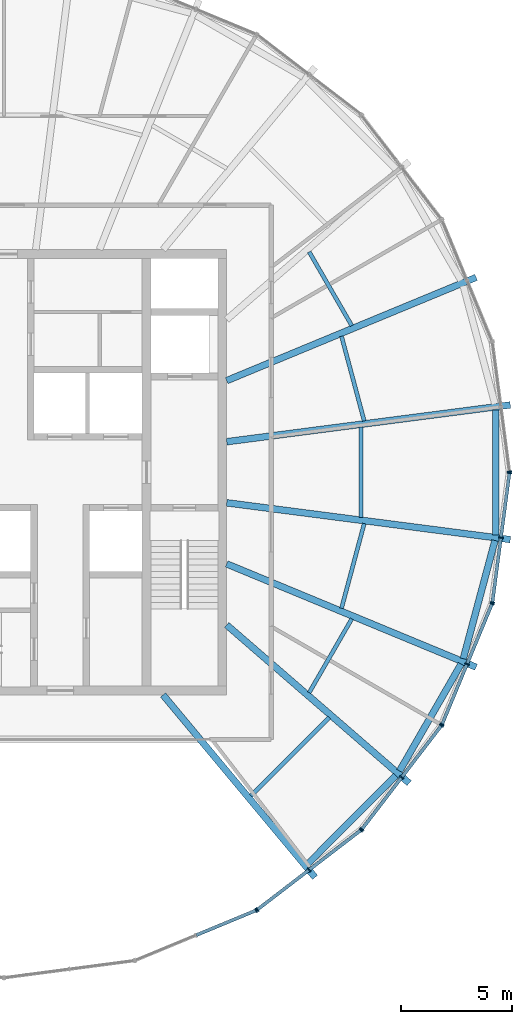
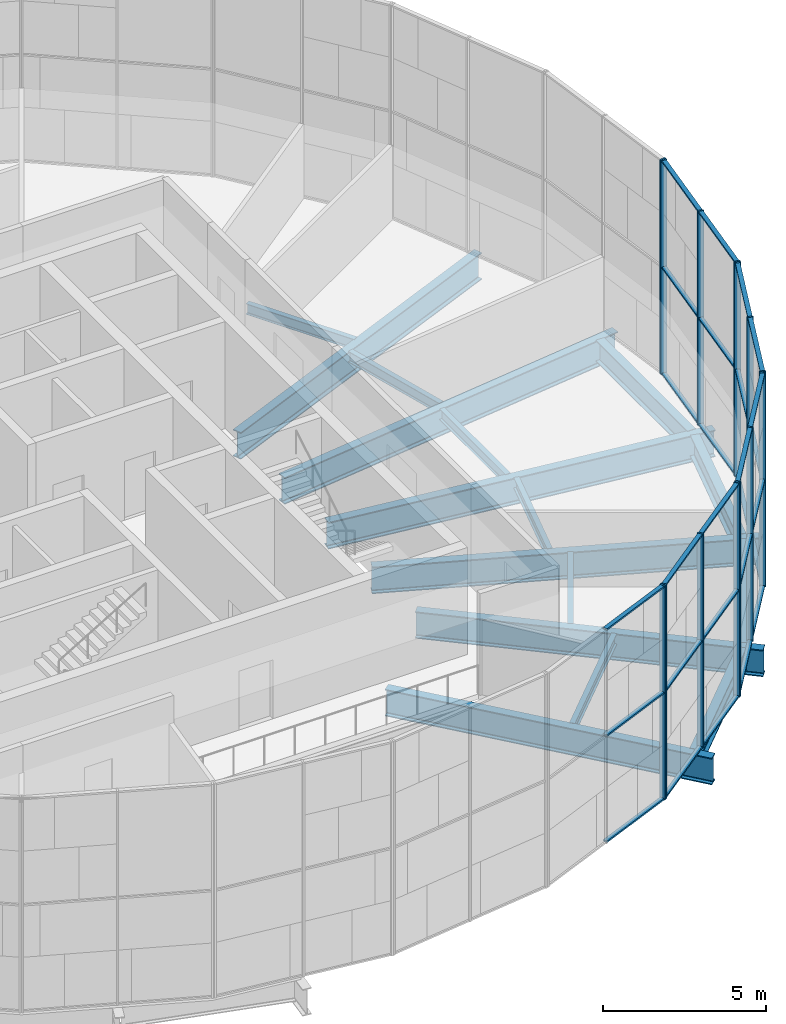
# One storey, part 4 of 19: 41 members, 16 beams, 6 elements without a shape of their own.
"""IFC4 building model written with IfcOpenShell, lengths in metres."""

from ifc_helpers import new_model, si_unit, direction, frame, origin, origin_2d, place, context, subcontext, project, spatial, rectangle, i_section, extrude, material, material_profile, profile_set, type_object, element, aggregate, save


model = new_model("IFC4")

# Units and contexts
model_context = context("Model", 3, precision=1e-05, world=origin(), true_north=direction((0.0, 1.0)))
body_context = subcontext(model_context, "Body", "Model", "MODEL_VIEW")
ifc_project = project(units=[si_unit("LENGTHUNIT", "METRE"), si_unit("AREAUNIT", "SQUARE_METRE"), si_unit("VOLUMEUNIT", "CUBIC_METRE"), si_unit("PLANEANGLEUNIT", "RADIAN"), si_unit("MASSUNIT", "GRAM", prefix="KILO")], contexts=[model_context])

# Site, building, storey
site_placement = place(None, origin())
site = spatial("IfcSite", under=ifc_project, at=site_placement, CompositionType="ELEMENT")
building_placement = place(site_placement, origin())
building = spatial("IfcBuilding", under=site, at=building_placement, Name="Golbaran Civic Tower", CompositionType="ELEMENT")
storey_placement = place(building_placement, frame((0.0, 0.0, 240.0)))
storey = spatial("IfcBuildingStorey", under=building, at=storey_placement, Name="L58", CompositionType="ELEMENT", Elevation=240.0)

# Beams
ifc_material_1 = material(Name="Steel S355", Category="steel")
ifc_material_profile_1 = material_profile(ifc_material_1, i_section(OverallWidth=0.300048828125, OverallDepth=0.800048828125, WebThickness=0.017578125, FlangeThickness=0.032958984375, FilletRadius=0.030029296875, at=origin_2d()), Name="HEB 800")
ifc_profile_set_1 = profile_set([ifc_material_profile_1], Name="Steel S355")
beam_type_1 = type_object("IfcBeamType", Name="EDGE BEAM HEB 800", PredefinedType="BEAM", material=ifc_profile_set_1)
beam_1_placement = place(storey_placement, frame((13.63818359375, -17.591552734375, -0.60009765625), z_axis=(0.706758752811, 0.707454638352, 0.0), x_axis=(-0.707454638352, 0.706758752811, 0.0)))
element("IfcBeam", 1, at=beam_1_placement, inside=storey, type_object=beam_type_1, Name="Edge beam 307.57 L58", PredefinedType="BEAM", context=body_context, shape_type="SweptSolid", body=[
    extrude(i_section(OverallWidth=0.300048828125, OverallDepth=0.800048828125, WebThickness=0.017578125, FlangeThickness=0.032958984375, FilletRadius=0.030029296875, at=origin_2d()), origin(), (0.0, 0.0, 1.0), 5.61328125),
])
beam_2_placement = place(storey_placement, frame((17.763671875, -13.413330078125, -0.60009765625), z_axis=(0.498624327536, 0.866818193158, 0.0), x_axis=(-0.866818193158, 0.498624327536, 0.0)))
element("IfcBeam", 2, at=beam_2_placement, inside=storey, type_object=beam_type_1, Name="Edge beam 322.43 L58", PredefinedType="BEAM", context=body_context, shape_type="SweptSolid", body=[
    extrude(i_section(OverallWidth=0.300048828125, OverallDepth=0.800048828125, WebThickness=0.017578125, FlangeThickness=0.032958984375, FilletRadius=0.030029296875, at=origin_2d()), origin(), (0.0, 0.0, 1.0), 5.53857421875),
])
beam_3_placement = place(storey_placement, frame((20.624755859375, -8.3720703125, -0.60009765625), z_axis=(0.258893020744, 0.96590600154, 0.0), x_axis=(-0.96590600154, 0.258893020744, 0.0)))
element("IfcBeam", 3, at=beam_3_placement, inside=storey, type_object=beam_type_1, Name="Edge beam 337.57 L58", PredefinedType="BEAM", context=body_context, shape_type="SweptSolid", body=[
    extrude(i_section(OverallWidth=0.300048828125, OverallDepth=0.800048828125, WebThickness=0.017578125, FlangeThickness=0.032958984375, FilletRadius=0.030029296875, at=origin_2d()), origin(), (0.0, 0.0, 1.0), 5.494873046875),
])
beam_4_placement = place(storey_placement, frame((22.081298828125, -2.806640625, -0.60009765625), z_axis=(0.0, 1.0, 0.0), x_axis=(-1.0, 0.0, 0.0)))
element("IfcBeam", 4, at=beam_4_placement, inside=storey, type_object=beam_type_1, Name="Edge beam 352.43 L58", PredefinedType="BEAM", context=body_context, shape_type="SweptSolid", body=[
    extrude(i_section(OverallWidth=0.300048828125, OverallDepth=0.800048828125, WebThickness=0.017578125, FlangeThickness=0.032958984375, FilletRadius=0.030029296875, at=origin_2d()), origin(), (0.0, 0.0, 1.0), 5.61328125),
])
ifc_material_profile_2 = material_profile(ifc_material_1, i_section(OverallWidth=0.179931640625, OverallDepth=0.39990234375, WebThickness=0.008544921875, FlangeThickness=0.013427734375, FilletRadius=0.02099609375, at=origin_2d()), Name="IPE 400")
ifc_profile_set_2 = profile_set([ifc_material_profile_2], Name="Steel S355")
beam_type_2 = type_object("IfcBeamType", Name="FLOOR INFILL BEAM IPE 400", PredefinedType="BEAM", material=ifc_profile_set_2)
beam_5_placement = place(storey_placement, frame((16.176025390625, 2.30322265625, -0.39990234375), z_axis=(-0.258819729531, 0.965925642897, 0.0), x_axis=(-0.965925642897, -0.258819729531, 0.0)))
element("IfcBeam", 5, at=beam_5_placement, inside=storey, type_object=beam_type_2, Name="Infill beam 15.00 L58", PredefinedType="BEAM", context=body_context, shape_type="SweptSolid", body=[
    extrude(i_section(OverallWidth=0.179931640625, OverallDepth=0.39990234375, WebThickness=0.008544921875, FlangeThickness=0.013427734375, FilletRadius=0.02099609375, at=origin_2d()), origin(), (0.0, 0.0, 1.0), 3.939208984375),
])
beam_6_placement = place(storey_placement, frame((15.61865234375, 6.5810546875, -0.39990234375), z_axis=(-0.500015088172, 0.866016692449, 0.0), x_axis=(-0.866016692449, -0.500015088172, 0.0)))
element("IfcBeam", 6, at=beam_6_placement, inside=storey, type_object=beam_type_2, Name="Infill beam 30.00 L58", PredefinedType="BEAM", context=body_context, shape_type="SweptSolid", body=[
    extrude(i_section(OverallWidth=0.179931640625, OverallDepth=0.39990234375, WebThickness=0.008544921875, FlangeThickness=0.013427734375, FilletRadius=0.02099609375, at=origin_2d()), origin(), (0.0, 0.0, 1.0), 3.82763671875),
])
beam_7_placement = place(storey_placement, frame((11.08544921875, -14.5283203125, -0.39990234375), z_axis=(0.70713134758, 0.70708221394, 0.0), x_axis=(-0.70708221394, 0.70713134758, 0.0)))
element("IfcBeam", 7, at=beam_7_placement, inside=storey, type_object=beam_type_2, Name="Infill beam 315.00 L58", PredefinedType="BEAM", context=body_context, shape_type="SweptSolid", body=[
    extrude(i_section(OverallWidth=0.179931640625, OverallDepth=0.39990234375, WebThickness=0.008544921875, FlangeThickness=0.013427734375, FilletRadius=0.02099609375, at=origin_2d()), origin(), (0.0, 0.0, 1.0), 4.968994140625),
])
beam_8_placement = place(storey_placement, frame((13.704833984375, -9.895751953125, -0.39990234375), z_axis=(0.500015088172, 0.866016692449, 0.0), x_axis=(-0.866016692449, 0.500015088172, 0.0)))
element("IfcBeam", 8, at=beam_8_placement, inside=storey, type_object=beam_type_2, Name="Infill beam 330.00 L58", PredefinedType="BEAM", context=body_context, shape_type="SweptSolid", body=[
    extrude(i_section(OverallWidth=0.179931640625, OverallDepth=0.39990234375, WebThickness=0.008544921875, FlangeThickness=0.013427734375, FilletRadius=0.02099609375, at=origin_2d()), origin(), (0.0, 0.0, 1.0), 3.82763671875),
])
beam_9_placement = place(storey_placement, frame((15.156494140625, -6.108154296875, -0.39990234375), z_axis=(0.258819729531, 0.965925642897, 0.0), x_axis=(-0.965925642897, 0.258819729531, 0.0)))
element("IfcBeam", 9, at=beam_9_placement, inside=storey, type_object=beam_type_2, Name="Infill beam 345.00 L58", PredefinedType="BEAM", context=body_context, shape_type="SweptSolid", body=[
    extrude(i_section(OverallWidth=0.179931640625, OverallDepth=0.39990234375, WebThickness=0.008544921875, FlangeThickness=0.013427734375, FilletRadius=0.02099609375, at=origin_2d()), origin(), (0.0, 0.0, 1.0), 3.939208984375),
])
beam_10_placement = place(storey_placement, frame((16.04052734375, -2.0234375, -0.39990234375), z_axis=(0.0, 1.0, 0.0), x_axis=(-1.0, 0.0, 0.0)))
element("IfcBeam", 10, at=beam_10_placement, inside=storey, type_object=beam_type_2, Name="Infill beam 0.00 L58", PredefinedType="BEAM", context=body_context, shape_type="SweptSolid", body=[
    extrude(i_section(OverallWidth=0.179931640625, OverallDepth=0.39990234375, WebThickness=0.008544921875, FlangeThickness=0.013427734375, FilletRadius=0.02099609375, at=origin_2d()), origin(), (0.0, 0.0, 1.0), 4.046875),
])

# Curtain wall, member
ifc_material_2 = material(Name="Aluminium and glass", Category="aluminium")
curtain_wall_type = type_object("IfcCurtainWallType", Name="INNER SKIN CURTAIN WALL EXECUTIVE", PredefinedType="NOTDEFINED", material=ifc_material_2)
curtain_wall_1_placement = place(storey_placement, origin())
curtain_wall_1 = element("IfcCurtainWall", 11, at=curtain_wall_1_placement, inside=storey, type_object=curtain_wall_type, Name="Inner skin L58 facet 1 CW2", ObjectType="INNER SKIN", PredefinedType="USERDEFINED")
ifc_material_3 = material(Name="Aluminium", Category="aluminium")
ifc_material_profile_3 = material_profile(ifc_material_3, rectangle(XDim=0.199951171875, YDim=0.06005859375, at=origin_2d()), Name="INNER SKIN CURTAIN WALL EXECUTIVE MULLION")
ifc_profile_set_3 = profile_set([ifc_material_profile_3], Name="Aluminium")
member_type_1 = type_object("IfcMemberType", Name="INNER SKIN CURTAIN WALL EXECUTIVE MULLION", PredefinedType="MULLION", material=ifc_profile_set_3)
member_1_placement = place(storey_placement, frame((22.696044921875, 0.02978515625, 0.0), z_axis=(0.0, 0.0, 1.0), x_axis=(-0.991444861381, -0.130526192168, 0.0)))
member_1 = element("IfcMember", 12, at=member_1_placement, type_object=member_type_1, Name="CW2 mullion 1", PredefinedType="MULLION", context=body_context, shape_type="SweptSolid", body=[
    extrude(rectangle(XDim=0.199951171875, YDim=0.06005859375, at=origin_2d()), origin(), (0.0, 0.0, 1.0), 8.0),
])
aggregate(curtain_wall_1, [member_1])

curtain_wall_2_placement = place(storey_placement, origin())
curtain_wall_2 = element("IfcCurtainWall", 13, at=curtain_wall_2_placement, inside=storey, type_object=curtain_wall_type, Name="Inner skin L58 facet 20 CW2", ObjectType="INNER SKIN", PredefinedType="USERDEFINED")
member_2_placement = place(storey_placement, frame((11.322265625, -19.670166015625, 0.0), z_axis=(0.0, 0.0, 1.0), x_axis=(-0.382683432397, 0.923879532498, 0.0)))
member_2 = element("IfcMember", 14, at=member_2_placement, type_object=member_type_1, Name="CW2 mullion 3", PredefinedType="MULLION", context=body_context, shape_type="SweptSolid", body=[
    extrude(rectangle(XDim=0.199951171875, YDim=0.06005859375, at=origin_2d()), origin(), (0.0, 0.0, 1.0), 8.0),
])

# Curtain wall, members
curtain_wall_3_placement = place(storey_placement, origin())
curtain_wall_3 = element("IfcCurtainWall", 15, at=curtain_wall_3_placement, inside=storey, type_object=curtain_wall_type, Name="Inner skin L58 facet 21 CW2", ObjectType="INNER SKIN", PredefinedType="USERDEFINED")
member_3_placement = place(storey_placement, frame((11.373779296875, -19.640625, 0.0), z_axis=(0.0, 0.0, 1.0), x_axis=(-0.608761429009, 0.793353340291, 0.0)))
member_3 = element("IfcMember", 16, at=member_3_placement, type_object=member_type_1, Name="CW2 mullion 1", PredefinedType="MULLION", context=body_context, shape_type="SweptSolid", body=[
    extrude(rectangle(XDim=0.199951171875, YDim=0.06005859375, at=origin_2d()), origin(), (0.0, 0.0, 1.0), 8.0),
])
member_4_placement = place(storey_placement, frame((13.70068359375, -17.85498046875, 0.0), z_axis=(0.0, 0.0, 1.0), x_axis=(-0.608761429009, 0.793353340291, 0.0)))
member_4 = element("IfcMember", 17, at=member_4_placement, type_object=member_type_1, Name="CW2 mullion 2", PredefinedType="MULLION", context=body_context, shape_type="SweptSolid", body=[
    extrude(rectangle(XDim=0.199951171875, YDim=0.06005859375, at=origin_2d()), origin(), (0.0, 0.0, 1.0), 8.0),
])
member_5_placement = place(storey_placement, frame((16.027587890625, -16.069580078125, 0.0), z_axis=(0.0, 0.0, 1.0), x_axis=(-0.608761429009, 0.793353340291, 0.0)))
member_5 = element("IfcMember", 18, at=member_5_placement, type_object=member_type_1, Name="CW2 mullion 3", PredefinedType="MULLION", context=body_context, shape_type="SweptSolid", body=[
    extrude(rectangle(XDim=0.199951171875, YDim=0.06005859375, at=origin_2d()), origin(), (0.0, 0.0, 1.0), 8.0),
])

curtain_wall_4_placement = place(storey_placement, origin())
curtain_wall_4 = element("IfcCurtainWall", 19, at=curtain_wall_4_placement, inside=storey, type_object=curtain_wall_type, Name="Inner skin L58 facet 22 CW2", ObjectType="INNER SKIN", PredefinedType="USERDEFINED")
member_6_placement = place(storey_placement, frame((16.069580078125, -16.027587890625, 0.0), z_axis=(0.0, 0.0, 1.0), x_axis=(-0.793353340291, 0.608761429009, 0.0)))
member_6 = element("IfcMember", 20, at=member_6_placement, type_object=member_type_1, Name="CW2 mullion 1", PredefinedType="MULLION", context=body_context, shape_type="SweptSolid", body=[
    extrude(rectangle(XDim=0.199951171875, YDim=0.06005859375, at=origin_2d()), origin(), (0.0, 0.0, 1.0), 8.0),
])
member_7_placement = place(storey_placement, frame((17.85498046875, -13.70068359375, 0.0), z_axis=(0.0, 0.0, 1.0), x_axis=(-0.793353340291, 0.608761429009, 0.0)))
member_7 = element("IfcMember", 21, at=member_7_placement, type_object=member_type_1, Name="CW2 mullion 2", PredefinedType="MULLION", context=body_context, shape_type="SweptSolid", body=[
    extrude(rectangle(XDim=0.199951171875, YDim=0.06005859375, at=origin_2d()), origin(), (0.0, 0.0, 1.0), 8.0),
])
member_8_placement = place(storey_placement, frame((19.640625, -11.373779296875, 0.0), z_axis=(0.0, 0.0, 1.0), x_axis=(-0.793353340291, 0.608761429009, 0.0)))
member_8 = element("IfcMember", 22, at=member_8_placement, type_object=member_type_1, Name="CW2 mullion 3", PredefinedType="MULLION", context=body_context, shape_type="SweptSolid", body=[
    extrude(rectangle(XDim=0.199951171875, YDim=0.06005859375, at=origin_2d()), origin(), (0.0, 0.0, 1.0), 8.0),
])

curtain_wall_5_placement = place(storey_placement, origin())
curtain_wall_5 = element("IfcCurtainWall", 23, at=curtain_wall_5_placement, inside=storey, type_object=curtain_wall_type, Name="Inner skin L58 facet 23 CW2", ObjectType="INNER SKIN", PredefinedType="USERDEFINED")
member_9_placement = place(storey_placement, frame((19.670166015625, -11.322265625, 0.0), z_axis=(0.0, 0.0, 1.0), x_axis=(-0.923879532498, 0.382683432397, 0.0)))
member_9 = element("IfcMember", 24, at=member_9_placement, type_object=member_type_1, Name="CW2 mullion 1", PredefinedType="MULLION", context=body_context, shape_type="SweptSolid", body=[
    extrude(rectangle(XDim=0.199951171875, YDim=0.06005859375, at=origin_2d()), origin(), (0.0, 0.0, 1.0), 8.0),
])
member_10_placement = place(storey_placement, frame((20.792724609375, -8.612548828125, 0.0), z_axis=(0.0, 0.0, 1.0), x_axis=(-0.923879532498, 0.382683432397, 0.0)))
member_10 = element("IfcMember", 25, at=member_10_placement, type_object=member_type_1, Name="CW2 mullion 2", PredefinedType="MULLION", context=body_context, shape_type="SweptSolid", body=[
    extrude(rectangle(XDim=0.199951171875, YDim=0.06005859375, at=origin_2d()), origin(), (0.0, 0.0, 1.0), 8.0),
])
member_11_placement = place(storey_placement, frame((21.9150390625, -5.90283203125, 0.0), z_axis=(0.0, 0.0, 1.0), x_axis=(-0.923879532498, 0.382683432397, 0.0)))
member_11 = element("IfcMember", 26, at=member_11_placement, type_object=member_type_1, Name="CW2 mullion 3", PredefinedType="MULLION", context=body_context, shape_type="SweptSolid", body=[
    extrude(rectangle(XDim=0.199951171875, YDim=0.06005859375, at=origin_2d()), origin(), (0.0, 0.0, 1.0), 8.0),
])

curtain_wall_6_placement = place(storey_placement, origin())
curtain_wall_6 = element("IfcCurtainWall", 27, at=curtain_wall_6_placement, inside=storey, type_object=curtain_wall_type, Name="Inner skin L58 facet 24 CW2", ObjectType="INNER SKIN", PredefinedType="USERDEFINED")
member_12_placement = place(storey_placement, frame((21.930419921875, -5.845458984375, 0.0), z_axis=(0.0, 0.0, 1.0), x_axis=(-0.991444861381, 0.130526192168, 0.0)))
member_12 = element("IfcMember", 28, at=member_12_placement, type_object=member_type_1, Name="CW2 mullion 1", PredefinedType="MULLION", context=body_context, shape_type="SweptSolid", body=[
    extrude(rectangle(XDim=0.199951171875, YDim=0.06005859375, at=origin_2d()), origin(), (0.0, 0.0, 1.0), 8.0),
])
member_13_placement = place(storey_placement, frame((22.313232421875, -2.9375, 0.0), z_axis=(0.0, 0.0, 1.0), x_axis=(-0.991444861381, 0.130526192168, 0.0)))
member_13 = element("IfcMember", 29, at=member_13_placement, type_object=member_type_1, Name="CW2 mullion 2", PredefinedType="MULLION", context=body_context, shape_type="SweptSolid", body=[
    extrude(rectangle(XDim=0.199951171875, YDim=0.06005859375, at=origin_2d()), origin(), (0.0, 0.0, 1.0), 8.0),
])
member_14_placement = place(storey_placement, frame((22.696044921875, -0.02978515625, 0.0), z_axis=(0.0, 0.0, 1.0), x_axis=(-0.991444861381, 0.130526192168, 0.0)))
member_14 = element("IfcMember", 30, at=member_14_placement, type_object=member_type_1, Name="CW2 mullion 3", PredefinedType="MULLION", context=body_context, shape_type="SweptSolid", body=[
    extrude(rectangle(XDim=0.199951171875, YDim=0.06005859375, at=origin_2d()), origin(), (0.0, 0.0, 1.0), 8.0),
])

# Member
ifc_material_profile_4 = material_profile(ifc_material_3, rectangle(XDim=0.14990234375, YDim=0.06005859375, at=origin_2d()), Name="INNER SKIN CURTAIN WALL EXECUTIVE TRANSOM")
ifc_profile_set_4 = profile_set([ifc_material_profile_4], Name="Aluminium")
member_type_2 = type_object("IfcMemberType", Name="INNER SKIN CURTAIN WALL EXECUTIVE TRANSOM", PredefinedType="USERDEFINED", material=ifc_profile_set_4)
member_15_placement = place(storey_placement, frame((8.640380859375, -20.78125, 0.030029296875), z_axis=(0.923859397542, 0.382732038864, 0.0), x_axis=(-0.382732038864, 0.923859397542, 0.0)))
member_15 = element("IfcMember", 31, at=member_15_placement, type_object=member_type_2, Name="CW2 transom 2.1", ObjectType="TRANSOM", PredefinedType="USERDEFINED", context=body_context, shape_type="SweptSolid", body=[
    extrude(rectangle(XDim=0.14990234375, YDim=0.06005859375, at=origin_2d()), origin(), (0.0, 0.0, 1.0), 2.873046875),
])

member_16_placement = place(storey_placement, frame((8.640380859375, -20.78125, 4.0), z_axis=(0.923859397542, 0.382732038864, 0.0), x_axis=(-0.382732038864, 0.923859397542, 0.0)))
member_16 = element("IfcMember", 32, at=member_16_placement, type_object=member_type_2, Name="CW2 transom 2.2", ObjectType="TRANSOM", PredefinedType="USERDEFINED", context=body_context, shape_type="SweptSolid", body=[
    extrude(rectangle(XDim=0.14990234375, YDim=0.06005859375, at=origin_2d()), origin(), (0.0, 0.0, 1.0), 2.873046875),
])

member_17_placement = place(storey_placement, frame((8.640380859375, -20.78125, 7.969970703125), z_axis=(0.923859397542, 0.382732038864, 0.0), x_axis=(-0.382732038864, 0.923859397542, 0.0)))
member_17 = element("IfcMember", 33, at=member_17_placement, type_object=member_type_2, Name="CW2 transom 2.3", ObjectType="TRANSOM", PredefinedType="USERDEFINED", context=body_context, shape_type="SweptSolid", body=[
    extrude(rectangle(XDim=0.14990234375, YDim=0.06005859375, at=origin_2d()), origin(), (0.0, 0.0, 1.0), 2.873046875),
])

aggregate(curtain_wall_2, [member_2, member_15, member_16, member_17])

member_18_placement = place(storey_placement, frame((11.397705078125, -19.622314453125, 0.030029296875), z_axis=(0.793312189687, 0.608815053767, 0.0), x_axis=(-0.608815053767, 0.793312189687, 0.0)))
member_18 = element("IfcMember", 34, at=member_18_placement, type_object=member_type_2, Name="CW2 transom 1.1", ObjectType="TRANSOM", PredefinedType="USERDEFINED", context=body_context, shape_type="SweptSolid", body=[
    extrude(rectangle(XDim=0.14990234375, YDim=0.06005859375, at=origin_2d()), origin(), (0.0, 0.0, 1.0), 2.872802734375),
])

member_19_placement = place(storey_placement, frame((11.397705078125, -19.622314453125, 4.0), z_axis=(0.793312189687, 0.608815053767, 0.0), x_axis=(-0.608815053767, 0.793312189687, 0.0)))
member_19 = element("IfcMember", 35, at=member_19_placement, type_object=member_type_2, Name="CW2 transom 1.2", ObjectType="TRANSOM", PredefinedType="USERDEFINED", context=body_context, shape_type="SweptSolid", body=[
    extrude(rectangle(XDim=0.14990234375, YDim=0.06005859375, at=origin_2d()), origin(), (0.0, 0.0, 1.0), 2.872802734375),
])

member_20_placement = place(storey_placement, frame((11.397705078125, -19.622314453125, 7.969970703125), z_axis=(0.793312189687, 0.608815053767, 0.0), x_axis=(-0.608815053767, 0.793312189687, 0.0)))
member_20 = element("IfcMember", 36, at=member_20_placement, type_object=member_type_2, Name="CW2 transom 1.3", ObjectType="TRANSOM", PredefinedType="USERDEFINED", context=body_context, shape_type="SweptSolid", body=[
    extrude(rectangle(XDim=0.14990234375, YDim=0.06005859375, at=origin_2d()), origin(), (0.0, 0.0, 1.0), 2.872802734375),
])

member_21_placement = place(storey_placement, frame((13.724365234375, -17.836669921875, 0.030029296875), z_axis=(0.793384727104, 0.608720522734, 0.0), x_axis=(-0.608720522734, 0.793384727104, 0.0)))
member_21 = element("IfcMember", 37, at=member_21_placement, type_object=member_type_2, Name="CW2 transom 2.1", ObjectType="TRANSOM", PredefinedType="USERDEFINED", context=body_context, shape_type="SweptSolid", body=[
    extrude(rectangle(XDim=0.14990234375, YDim=0.06005859375, at=origin_2d()), origin(), (0.0, 0.0, 1.0), 2.872802734375),
])

member_22_placement = place(storey_placement, frame((13.724365234375, -17.836669921875, 4.0), z_axis=(0.793384727104, 0.608720522734, 0.0), x_axis=(-0.608720522734, 0.793384727104, 0.0)))
member_22 = element("IfcMember", 38, at=member_22_placement, type_object=member_type_2, Name="CW2 transom 2.2", ObjectType="TRANSOM", PredefinedType="USERDEFINED", context=body_context, shape_type="SweptSolid", body=[
    extrude(rectangle(XDim=0.14990234375, YDim=0.06005859375, at=origin_2d()), origin(), (0.0, 0.0, 1.0), 2.872802734375),
])

member_23_placement = place(storey_placement, frame((13.724365234375, -17.836669921875, 7.969970703125), z_axis=(0.793384727104, 0.608720522734, 0.0), x_axis=(-0.608720522734, 0.793384727104, 0.0)))
member_23 = element("IfcMember", 39, at=member_23_placement, type_object=member_type_2, Name="CW2 transom 2.3", ObjectType="TRANSOM", PredefinedType="USERDEFINED", context=body_context, shape_type="SweptSolid", body=[
    extrude(rectangle(XDim=0.14990234375, YDim=0.06005859375, at=origin_2d()), origin(), (0.0, 0.0, 1.0), 2.872802734375),
])

aggregate(curtain_wall_3, [member_3, member_4, member_5, member_18, member_19, member_20, member_21, member_22, member_23])

member_24_placement = place(storey_placement, frame((16.087890625, -16.003662109375, 0.030029296875), z_axis=(0.608720522734, 0.793384727104, 0.0), x_axis=(-0.793384727104, 0.608720522734, 0.0)))
member_24 = element("IfcMember", 40, at=member_24_placement, type_object=member_type_2, Name="CW2 transom 1.1", ObjectType="TRANSOM", PredefinedType="USERDEFINED", context=body_context, shape_type="SweptSolid", body=[
    extrude(rectangle(XDim=0.14990234375, YDim=0.06005859375, at=origin_2d()), origin(), (0.0, 0.0, 1.0), 2.872802734375),
])

member_25_placement = place(storey_placement, frame((16.087890625, -16.003662109375, 4.0), z_axis=(0.608720522734, 0.793384727104, 0.0), x_axis=(-0.793384727104, 0.608720522734, 0.0)))
member_25 = element("IfcMember", 41, at=member_25_placement, type_object=member_type_2, Name="CW2 transom 1.2", ObjectType="TRANSOM", PredefinedType="USERDEFINED", context=body_context, shape_type="SweptSolid", body=[
    extrude(rectangle(XDim=0.14990234375, YDim=0.06005859375, at=origin_2d()), origin(), (0.0, 0.0, 1.0), 2.872802734375),
])

member_26_placement = place(storey_placement, frame((16.087890625, -16.003662109375, 7.969970703125), z_axis=(0.608720522734, 0.793384727104, 0.0), x_axis=(-0.793384727104, 0.608720522734, 0.0)))
member_26 = element("IfcMember", 42, at=member_26_placement, type_object=member_type_2, Name="CW2 transom 1.3", ObjectType="TRANSOM", PredefinedType="USERDEFINED", context=body_context, shape_type="SweptSolid", body=[
    extrude(rectangle(XDim=0.14990234375, YDim=0.06005859375, at=origin_2d()), origin(), (0.0, 0.0, 1.0), 2.872802734375),
])

member_27_placement = place(storey_placement, frame((17.873291015625, -13.6767578125, 0.030029296875), z_axis=(0.608815053767, 0.793312189687, 0.0), x_axis=(-0.793312189687, 0.608815053767, 0.0)))
member_27 = element("IfcMember", 43, at=member_27_placement, type_object=member_type_2, Name="CW2 transom 2.1", ObjectType="TRANSOM", PredefinedType="USERDEFINED", context=body_context, shape_type="SweptSolid", body=[
    extrude(rectangle(XDim=0.14990234375, YDim=0.06005859375, at=origin_2d()), origin(), (0.0, 0.0, 1.0), 2.872802734375),
])

member_28_placement = place(storey_placement, frame((17.873291015625, -13.6767578125, 4.0), z_axis=(0.608815053767, 0.793312189687, 0.0), x_axis=(-0.793312189687, 0.608815053767, 0.0)))
member_28 = element("IfcMember", 44, at=member_28_placement, type_object=member_type_2, Name="CW2 transom 2.2", ObjectType="TRANSOM", PredefinedType="USERDEFINED", context=body_context, shape_type="SweptSolid", body=[
    extrude(rectangle(XDim=0.14990234375, YDim=0.06005859375, at=origin_2d()), origin(), (0.0, 0.0, 1.0), 2.872802734375),
])

member_29_placement = place(storey_placement, frame((17.873291015625, -13.6767578125, 7.969970703125), z_axis=(0.608815053767, 0.793312189687, 0.0), x_axis=(-0.793312189687, 0.608815053767, 0.0)))
member_29 = element("IfcMember", 45, at=member_29_placement, type_object=member_type_2, Name="CW2 transom 2.3", ObjectType="TRANSOM", PredefinedType="USERDEFINED", context=body_context, shape_type="SweptSolid", body=[
    extrude(rectangle(XDim=0.14990234375, YDim=0.06005859375, at=origin_2d()), origin(), (0.0, 0.0, 1.0), 2.872802734375),
])

aggregate(curtain_wall_4, [member_6, member_7, member_8, member_24, member_25, member_26, member_27, member_28, member_29])

member_30_placement = place(storey_placement, frame((19.681640625, -11.294677734375, 0.030029296875), z_axis=(0.382732038864, 0.923859397542, 0.0), x_axis=(-0.923859397542, 0.382732038864, 0.0)))
member_30 = element("IfcMember", 46, at=member_30_placement, type_object=member_type_2, Name="CW2 transom 1.1", ObjectType="TRANSOM", PredefinedType="USERDEFINED", context=body_context, shape_type="SweptSolid", body=[
    extrude(rectangle(XDim=0.14990234375, YDim=0.06005859375, at=origin_2d()), origin(), (0.0, 0.0, 1.0), 2.873046875),
])

member_31_placement = place(storey_placement, frame((19.681640625, -11.294677734375, 4.0), z_axis=(0.382732038864, 0.923859397542, 0.0), x_axis=(-0.923859397542, 0.382732038864, 0.0)))
member_31 = element("IfcMember", 47, at=member_31_placement, type_object=member_type_2, Name="CW2 transom 1.2", ObjectType="TRANSOM", PredefinedType="USERDEFINED", context=body_context, shape_type="SweptSolid", body=[
    extrude(rectangle(XDim=0.14990234375, YDim=0.06005859375, at=origin_2d()), origin(), (0.0, 0.0, 1.0), 2.873046875),
])

member_32_placement = place(storey_placement, frame((19.681640625, -11.294677734375, 7.969970703125), z_axis=(0.382732038864, 0.923859397542, 0.0), x_axis=(-0.923859397542, 0.382732038864, 0.0)))
member_32 = element("IfcMember", 48, at=member_32_placement, type_object=member_type_2, Name="CW2 transom 1.3", ObjectType="TRANSOM", PredefinedType="USERDEFINED", context=body_context, shape_type="SweptSolid", body=[
    extrude(rectangle(XDim=0.14990234375, YDim=0.06005859375, at=origin_2d()), origin(), (0.0, 0.0, 1.0), 2.873046875),
])

member_33_placement = place(storey_placement, frame((20.80419921875, -8.5849609375, 0.030029296875), z_axis=(0.382659506909, 0.923889442397, 0.0), x_axis=(-0.923889442397, 0.382659506909, 0.0)))
member_33 = element("IfcMember", 49, at=member_33_placement, type_object=member_type_2, Name="CW2 transom 2.1", ObjectType="TRANSOM", PredefinedType="USERDEFINED", context=body_context, shape_type="SweptSolid", body=[
    extrude(rectangle(XDim=0.14990234375, YDim=0.06005859375, at=origin_2d()), origin(), (0.0, 0.0, 1.0), 2.873046875),
])

member_34_placement = place(storey_placement, frame((20.80419921875, -8.5849609375, 4.0), z_axis=(0.382659506909, 0.923889442397, 0.0), x_axis=(-0.923889442397, 0.382659506909, 0.0)))
member_34 = element("IfcMember", 50, at=member_34_placement, type_object=member_type_2, Name="CW2 transom 2.2", ObjectType="TRANSOM", PredefinedType="USERDEFINED", context=body_context, shape_type="SweptSolid", body=[
    extrude(rectangle(XDim=0.14990234375, YDim=0.06005859375, at=origin_2d()), origin(), (0.0, 0.0, 1.0), 2.873046875),
])

member_35_placement = place(storey_placement, frame((20.80419921875, -8.5849609375, 7.969970703125), z_axis=(0.382659506909, 0.923889442397, 0.0), x_axis=(-0.923889442397, 0.382659506909, 0.0)))
member_35 = element("IfcMember", 51, at=member_35_placement, type_object=member_type_2, Name="CW2 transom 2.3", ObjectType="TRANSOM", PredefinedType="USERDEFINED", context=body_context, shape_type="SweptSolid", body=[
    extrude(rectangle(XDim=0.14990234375, YDim=0.06005859375, at=origin_2d()), origin(), (0.0, 0.0, 1.0), 2.873046875),
])

aggregate(curtain_wall_5, [member_9, member_10, member_11, member_30, member_31, member_32, member_33, member_34, member_35])

member_36_placement = place(storey_placement, frame((21.934326171875, -5.815673828125, 0.030029296875), z_axis=(0.130527053476, 0.991444747987, 0.0), x_axis=(-0.991444747987, 0.130527053476, 0.0)))
member_36 = element("IfcMember", 52, at=member_36_placement, type_object=member_type_2, Name="CW2 transom 1.1", ObjectType="TRANSOM", PredefinedType="USERDEFINED", context=body_context, shape_type="SweptSolid", body=[
    extrude(rectangle(XDim=0.14990234375, YDim=0.06005859375, at=origin_2d()), origin(), (0.0, 0.0, 1.0), 2.873046875),
])

member_37_placement = place(storey_placement, frame((21.934326171875, -5.815673828125, 4.0), z_axis=(0.130527053476, 0.991444747987, 0.0), x_axis=(-0.991444747987, 0.130527053476, 0.0)))
member_37 = element("IfcMember", 53, at=member_37_placement, type_object=member_type_2, Name="CW2 transom 1.2", ObjectType="TRANSOM", PredefinedType="USERDEFINED", context=body_context, shape_type="SweptSolid", body=[
    extrude(rectangle(XDim=0.14990234375, YDim=0.06005859375, at=origin_2d()), origin(), (0.0, 0.0, 1.0), 2.873046875),
])

member_38_placement = place(storey_placement, frame((21.934326171875, -5.815673828125, 7.969970703125), z_axis=(0.130527053476, 0.991444747987, 0.0), x_axis=(-0.991444747987, 0.130527053476, 0.0)))
member_38 = element("IfcMember", 54, at=member_38_placement, type_object=member_type_2, Name="CW2 transom 1.3", ObjectType="TRANSOM", PredefinedType="USERDEFINED", context=body_context, shape_type="SweptSolid", body=[
    extrude(rectangle(XDim=0.14990234375, YDim=0.06005859375, at=origin_2d()), origin(), (0.0, 0.0, 1.0), 2.873046875),
])

member_39_placement = place(storey_placement, frame((22.317138671875, -2.907958984375, 0.030029296875), z_axis=(0.130527053476, 0.991444747987, 0.0), x_axis=(-0.991444747987, 0.130527053476, 0.0)))
member_39 = element("IfcMember", 55, at=member_39_placement, type_object=member_type_2, Name="CW2 transom 2.1", ObjectType="TRANSOM", PredefinedType="USERDEFINED", context=body_context, shape_type="SweptSolid", body=[
    extrude(rectangle(XDim=0.14990234375, YDim=0.06005859375, at=origin_2d()), origin(), (0.0, 0.0, 1.0), 2.873046875),
])

member_40_placement = place(storey_placement, frame((22.317138671875, -2.907958984375, 4.0), z_axis=(0.130527053476, 0.991444747987, 0.0), x_axis=(-0.991444747987, 0.130527053476, 0.0)))
member_40 = element("IfcMember", 56, at=member_40_placement, type_object=member_type_2, Name="CW2 transom 2.2", ObjectType="TRANSOM", PredefinedType="USERDEFINED", context=body_context, shape_type="SweptSolid", body=[
    extrude(rectangle(XDim=0.14990234375, YDim=0.06005859375, at=origin_2d()), origin(), (0.0, 0.0, 1.0), 2.873046875),
])

member_41_placement = place(storey_placement, frame((22.317138671875, -2.907958984375, 7.969970703125), z_axis=(0.130527053476, 0.991444747987, 0.0), x_axis=(-0.991444747987, 0.130527053476, 0.0)))
member_41 = element("IfcMember", 57, at=member_41_placement, type_object=member_type_2, Name="CW2 transom 2.3", ObjectType="TRANSOM", PredefinedType="USERDEFINED", context=body_context, shape_type="SweptSolid", body=[
    extrude(rectangle(XDim=0.14990234375, YDim=0.06005859375, at=origin_2d()), origin(), (0.0, 0.0, 1.0), 2.873046875),
])

aggregate(curtain_wall_6, [member_12, member_13, member_14, member_36, member_37, member_38, member_39, member_40, member_41])

# Beams
ifc_material_profile_5 = material_profile(ifc_material_1, i_section(OverallWidth=0.300048828125, OverallDepth=1.0, WebThickness=0.01904296875, FlangeThickness=0.035888671875, FilletRadius=0.030029296875, at=origin_2d()), Name="HEB 1000")
ifc_profile_set_5 = profile_set([ifc_material_profile_5], Name="Steel S355")
beam_type_3 = type_object("IfcBeamType", Name="RADIAL FLOOR BEAM HEB 1000", PredefinedType="BEAM", material=ifc_profile_set_5)
beam_11_placement = place(storey_placement, frame((10.0, 1.371337890625, -0.7099609375), z_axis=(0.991697972949, 0.12858899816, 0.0), x_axis=(-0.12858899816, 0.991697972949, 0.0)))
element("IfcBeam", 58, at=beam_11_placement, inside=storey, type_object=beam_type_3, Name="Radial beam 7.57 L58", PredefinedType="BEAM", context=body_context, shape_type="SweptSolid", body=[
    extrude(i_section(OverallWidth=0.300048828125, OverallDepth=1.0, WebThickness=0.01904296875, FlangeThickness=0.035888671875, FilletRadius=0.030029296875, at=origin_2d()), origin(), (0.0, 0.0, 1.0), 12.84228515625),
])
beam_12_placement = place(storey_placement, frame((10.0, 4.1142578125, -0.7099609375), z_axis=(0.92394983579, 0.382513661119, 0.0), x_axis=(-0.382513661119, 0.92394983579, 0.0)))
element("IfcBeam", 59, at=beam_12_placement, inside=storey, type_object=beam_type_3, Name="Radial beam 22.43 L58", PredefinedType="BEAM", context=body_context, shape_type="SweptSolid", body=[
    extrude(i_section(OverallWidth=0.300048828125, OverallDepth=1.0, WebThickness=0.01904296875, FlangeThickness=0.035888671875, FilletRadius=0.030029296875, at=origin_2d()), origin(), (0.0, 0.0, 1.0), 12.122314453125),
])
beam_13_placement = place(storey_placement, frame((7.142822265625, -10.0, -0.7099609375), z_axis=(0.640184399664, -0.768221279597, 0.0), x_axis=(0.768221279597, 0.640184399664, 0.0)))
element("IfcBeam", 60, at=beam_13_placement, inside=storey, type_object=beam_type_3, Name="Radial beam 307.57 L58", PredefinedType="BEAM", context=body_context, shape_type="SweptSolid", body=[
    extrude(i_section(OverallWidth=0.300048828125, OverallDepth=1.0, WebThickness=0.01904296875, FlangeThickness=0.035888671875, FilletRadius=0.030029296875, at=origin_2d()), origin(), (0.0, 0.0, 1.0), 10.660888671875),
])
beam_14_placement = place(storey_placement, frame((10.0, -6.857177734375, -0.7099609375), z_axis=(0.755712851544, -0.654903111927, 0.0), x_axis=(0.654903111927, 0.755712851544, 0.0)))
element("IfcBeam", 61, at=beam_14_placement, inside=storey, type_object=beam_type_3, Name="Radial beam 322.43 L58", PredefinedType="BEAM", context=body_context, shape_type="SweptSolid", body=[
    extrude(i_section(OverallWidth=0.300048828125, OverallDepth=1.0, WebThickness=0.01904296875, FlangeThickness=0.035888671875, FilletRadius=0.030029296875, at=origin_2d()), origin(), (0.0, 0.0, 1.0), 10.8447265625),
])
beam_15_placement = place(storey_placement, frame((10.0, -4.1142578125, -0.7099609375), z_axis=(0.92394983579, -0.382513661119, 0.0), x_axis=(0.382513661119, 0.92394983579, 0.0)))
element("IfcBeam", 62, at=beam_15_placement, inside=storey, type_object=beam_type_3, Name="Radial beam 337.57 L58", PredefinedType="BEAM", context=body_context, shape_type="SweptSolid", body=[
    extrude(i_section(OverallWidth=0.300048828125, OverallDepth=1.0, WebThickness=0.01904296875, FlangeThickness=0.035888671875, FilletRadius=0.030029296875, at=origin_2d()), origin(), (0.0, 0.0, 1.0), 12.122314453125),
])
beam_16_placement = place(storey_placement, frame((10.0, -1.371337890625, -0.7099609375), z_axis=(0.991697972949, -0.12858899816, 0.0), x_axis=(0.12858899816, 0.991697972949, 0.0)))
element("IfcBeam", 63, at=beam_16_placement, inside=storey, type_object=beam_type_3, Name="Radial beam 352.43 L58", PredefinedType="BEAM", context=body_context, shape_type="SweptSolid", body=[
    extrude(i_section(OverallWidth=0.300048828125, OverallDepth=1.0, WebThickness=0.01904296875, FlangeThickness=0.035888671875, FilletRadius=0.030029296875, at=origin_2d()), origin(), (0.0, 0.0, 1.0), 12.84228515625),
])

save(model, "model.ifc")
